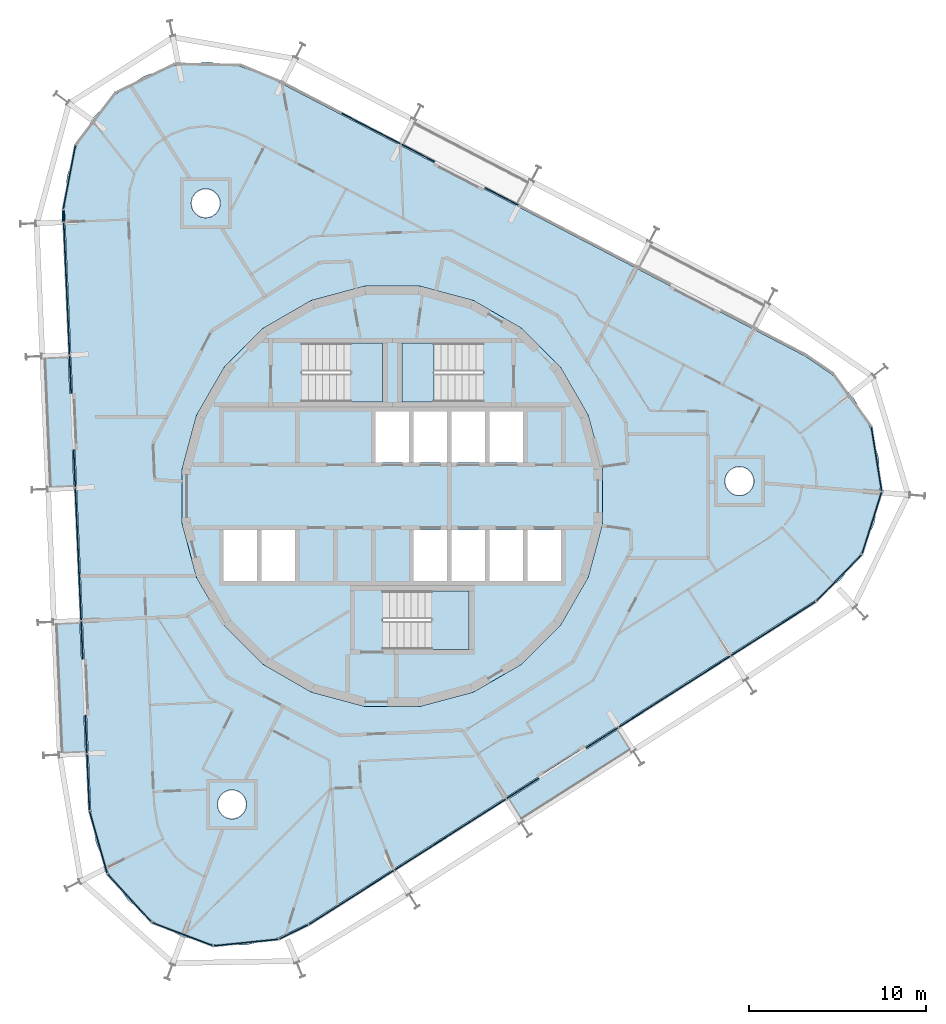
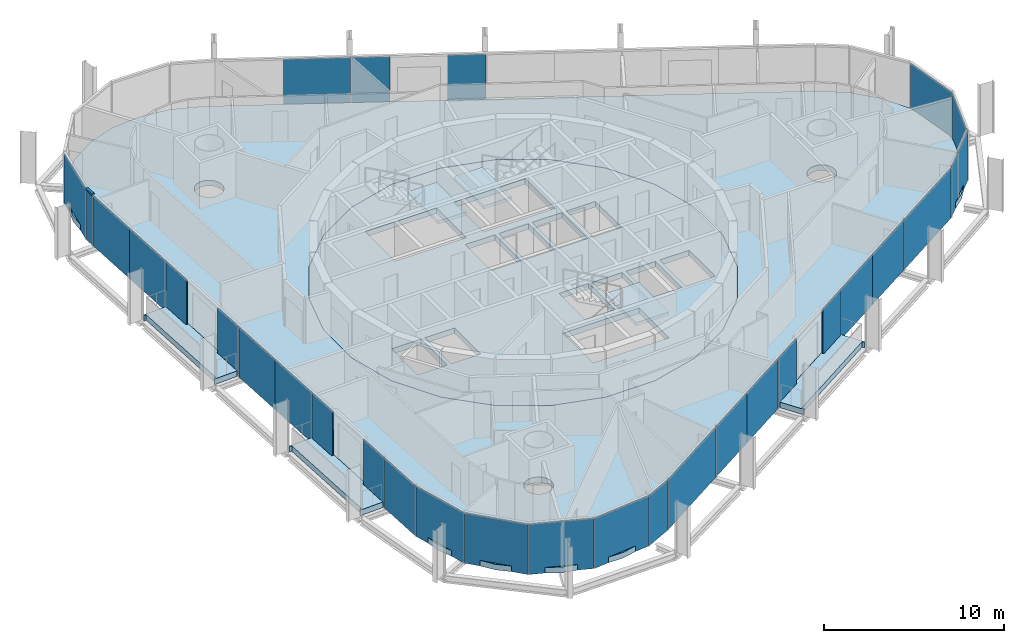
# One storey, part 10 of 17: 30 plates, 8 slabs, 1 member, 9 elements without a shape of their own.
"""IFC4 building model written with IfcOpenShell, lengths in metres."""

from ifc_helpers import new_model, si_unit, direction, frame, origin, origin_2d, place, context, subcontext, project, spatial, polyline, rectangle, outline, extrude, material, layer, layer_set, material_profile, profile_set, type_object, element, aggregate, save


model = new_model("IFC4")

# Units and contexts
model_context = context("Model", 3, precision=1e-05, world=origin(), true_north=direction((0.0, 1.0)))
body_context = subcontext(model_context, "Body", "Model", "MODEL_VIEW")
ifc_project = project(units=[si_unit("LENGTHUNIT", "METRE"), si_unit("AREAUNIT", "SQUARE_METRE"), si_unit("VOLUMEUNIT", "CUBIC_METRE"), si_unit("PLANEANGLEUNIT", "RADIAN"), si_unit("MASSUNIT", "GRAM", prefix="KILO")], contexts=[model_context])

# Site, building, storey
site_placement = place(None, origin())
site = spatial("IfcSite", under=ifc_project, at=site_placement, CompositionType="ELEMENT")
building_placement = place(site_placement, origin())
building = spatial("IfcBuilding", under=site, at=building_placement, Name="Spindle Arch Residences", CompositionType="ELEMENT")
storey_placement = place(building_placement, frame((0.0, 0.0, 244.199951171875)))
storey = spatial("IfcBuildingStorey", under=building, at=storey_placement, Name="L62", CompositionType="ELEMENT", Elevation=244.199951171875)

# Curtain wall, member
ifc_material_1 = material(Name="Aluminium bronze unitised frame with tinted glass", Category="aluminium")
ifc_layer_1 = layer(ifc_material_1, 0.159912109375)
ifc_layer_set_1 = layer_set([ifc_layer_1], Name="CW-D corner wall on the fillet arcs")
curtain_wall_type_1 = type_object("IfcCurtainWallType", Name="CW-D corner wall on the fillet arcs", PredefinedType="NOTDEFINED", material=ifc_layer_set_1)
curtain_wall_1_placement = place(storey_placement, origin())
curtain_wall_1 = element("IfcCurtainWall", 1, at=curtain_wall_1_placement, inside=storey, type_object=curtain_wall_type_1, Name="CW-D L62 run 3", PredefinedType="NOTDEFINED")
ifc_material_2 = material(Name="Aluminium bronze anodised transom", Category="aluminium")
ifc_material_profile = material_profile(ifc_material_2, rectangle(XDim=0.159912109375, YDim=0.1201171875, at=origin_2d()), Name="TR 120x160")
ifc_profile_set = profile_set([ifc_material_profile], Name="Aluminium bronze anodised transom")
member_type = type_object("IfcMemberType", Name="Bronze transom 120x160", PredefinedType="USERDEFINED", material=ifc_profile_set)
member_placement = place(storey_placement, frame((-18.638916015625, 16.2060546875, 3.06005859375), z_axis=(0.043372874815, -0.999058954081, 0.0), x_axis=(0.999058954081, 0.043372874815, 0.0)))
member = element("IfcMember", 2, at=member_placement, type_object=member_type, Name="CW-D transom 05", ObjectType="TRANSOM", PredefinedType="USERDEFINED", context=body_context, shape_type="SweptSolid", body=[
    extrude(rectangle(XDim=0.159912109375, YDim=0.1201171875, at=origin_2d()), origin(), (0.0, 0.0, 1.0), 0.65869140625),
])

# Slabs
ifc_material_3 = material(Name="Concrete C40/50", Category="concrete")
ifc_layer_2 = layer(ifc_material_3, 0.3798828125)
ifc_layer_set_2 = layer_set([ifc_layer_2], Name="Balcony slab 380")
slab_type_1 = type_object("IfcSlabType", Name="Balcony slab 380", PredefinedType="FLOOR", material=ifc_layer_set_2)
slab_1_placement = place(storey_placement, frame((0.0, 0.0, -0.3798828125)))
element("IfcSlab", 3, at=slab_1_placement, inside=storey, type_object=slab_type_1, Name="Balcony L62 bay 14", PredefinedType="FLOOR", context=body_context, shape_type="SweptSolid", body=[
    extrude(outline(polyline([(-19.845703125, 7.851806640625), (-19.842529296875, 7.777099609375), (-19.692626953125, 7.783447265625), (-19.377197265625, 0.560302734375), (-19.527099609375, 0.5537109375), (-19.52392578125, 0.478759765625), (-18.03515625, 0.5439453125), (-18.12646484375, 2.6318359375), (-17.966552734375, 2.638916015625), (-18.106201171875, 5.8359375), (-18.265869140625, 5.828857421875), (-18.357177734375, 7.9169921875), (-19.845703125, 7.851806640625)])), origin(), (0.0, 0.0, 1.0), 0.3798828125),
])
slab_2_placement = place(storey_placement, frame((0.0, 0.0, -0.3798828125)))
element("IfcSlab", 4, at=slab_2_placement, inside=storey, type_object=slab_type_1, Name="Balcony L62 bay 16", PredefinedType="FLOOR", context=body_context, shape_type="SweptSolid", body=[
    extrude(outline(polyline([(-19.188720703125, -7.19384765625), (-19.185546875, -7.268798828125), (-19.03564453125, -7.26220703125), (-18.72021484375, -14.485595703125), (-18.8701171875, -14.491943359375), (-18.866943359375, -14.56689453125), (-17.37841796875, -14.501953125), (-17.469482421875, -12.413818359375), (-17.3095703125, -12.406982421875), (-17.44921875, -9.2099609375), (-17.609130859375, -9.217041015625), (-17.7001953125, -7.12890625), (-19.188720703125, -7.19384765625)])), origin(), (0.0, 0.0, 1.0), 0.3798828125),
])
slab_3_placement = place(storey_placement, frame((0.0, 0.0, -0.3798828125)))
element("IfcSlab", 5, at=slab_3_placement, inside=storey, type_object=slab_type_1, Name="Balcony L62 bay 22", PredefinedType="FLOOR", context=body_context, shape_type="SweptSolid", body=[
    extrude(outline(polyline([(7.356689453125, -18.41552734375), (7.419921875, -18.375244140625), (7.33935546875, -18.248779296875), (13.437255859375, -14.364013671875), (13.517822265625, -14.490478515625), (13.5810546875, -14.4501953125), (12.780517578125, -13.193603515625), (11.017822265625, -14.316650390625), (10.931884765625, -14.181640625), (8.23291015625, -15.901123046875), (8.31884765625, -16.035888671875), (6.55615234375, -17.158935546875), (7.356689453125, -18.41552734375)])), origin(), (0.0, 0.0, 1.0), 0.3798828125),
])
ifc_material_4 = material(Name="Concrete C50/60", Category="concrete")
ifc_layer_3 = layer(ifc_material_4, 0.3798828125)
ifc_layer_set_3 = layer_set([ifc_layer_3], Name="Core floor slab 380")
slab_type_2 = type_object("IfcSlabType", Name="Core floor slab 380", PredefinedType="FLOOR", material=ifc_layer_set_3)
slab_4_placement = place(storey_placement, frame((0.0, 0.0, -0.3798828125)))
element("IfcSlab", 6, at=slab_4_placement, inside=storey, type_object=slab_type_2, Name="Core floor L62", PredefinedType="FLOOR", context=body_context, shape_type="SweptSolid", body=[
    extrude(outline(polyline([(1.56640625, -11.897216796875), (4.59228515625, -11.086669921875), (7.30517578125, -9.520263671875), (9.520263671875, -7.30517578125), (11.086669921875, -4.59228515625), (11.897216796875, -1.56640625), (11.897216796875, 1.56640625), (11.086669921875, 4.59228515625), (9.520263671875, 7.30517578125), (7.30517578125, 9.520263671875), (4.59228515625, 11.086669921875), (1.56640625, 11.897216796875), (-1.56640625, 11.897216796875), (-4.59228515625, 11.086669921875), (-7.30517578125, 9.520263671875), (-9.520263671875, 7.30517578125), (-11.086669921875, 4.59228515625), (-11.897216796875, 1.56640625), (-11.897216796875, -1.56640625), (-11.086669921875, -4.59228515625), (-9.520263671875, -7.30517578125), (-7.30517578125, -9.520263671875), (-4.59228515625, -11.086669921875), (-1.56640625, -11.897216796875), (1.56640625, -11.897216796875)]), holes=[polyline([(-0.949951171875, 1.89990234375), (0.949951171875, 1.89990234375), (0.949951171875, 4.800048828125), (-0.949951171875, 4.800048828125), (-0.949951171875, 1.89990234375)]), polyline([(1.199951171875, 1.89990234375), (3.10009765625, 1.89990234375), (3.10009765625, 4.800048828125), (1.199951171875, 4.800048828125), (1.199951171875, 1.89990234375)]), polyline([(3.35009765625, 1.89990234375), (5.25, 1.89990234375), (5.25, 4.800048828125), (3.35009765625, 4.800048828125), (3.35009765625, 1.89990234375)]), polyline([(5.5, 1.89990234375), (7.39990234375, 1.89990234375), (7.39990234375, 4.800048828125), (5.5, 4.800048828125), (5.5, 1.89990234375)]), polyline([(-9.550048828125, -4.800048828125), (-7.64990234375, -4.800048828125), (-7.64990234375, -1.89990234375), (-9.550048828125, -1.89990234375), (-9.550048828125, -4.800048828125)]), polyline([(-7.39990234375, -4.800048828125), (-5.5, -4.800048828125), (-5.5, -1.89990234375), (-7.39990234375, -1.89990234375), (-7.39990234375, -4.800048828125)]), polyline([(1.199951171875, -4.800048828125), (3.10009765625, -4.800048828125), (3.10009765625, -1.89990234375), (1.199951171875, -1.89990234375), (1.199951171875, -4.800048828125)]), polyline([(3.35009765625, -4.800048828125), (5.25, -4.800048828125), (5.25, -1.89990234375), (3.35009765625, -1.89990234375), (3.35009765625, -4.800048828125)]), polyline([(5.5, -4.800048828125), (7.39990234375, -4.800048828125), (7.39990234375, -1.89990234375), (5.5, -1.89990234375), (5.5, -4.800048828125)]), polyline([(7.64990234375, -4.800048828125), (9.550048828125, -4.800048828125), (9.550048828125, -1.89990234375), (7.64990234375, -1.89990234375), (7.64990234375, -4.800048828125)]), polyline([(5.1298828125, 8.669921875), (0.550048828125, 8.669921875), (0.550048828125, 5.35009765625), (5.1298828125, 5.35009765625), (5.1298828125, 8.669921875)]), polyline([(-5.1298828125, 5.35009765625), (-0.550048828125, 5.35009765625), (-0.550048828125, 8.669921875), (-5.1298828125, 8.669921875), (-5.1298828125, 5.35009765625)]), polyline([(-0.530029296875, -8.669921875), (4.35009765625, -8.669921875), (4.35009765625, -5.35009765625), (-0.530029296875, -5.35009765625), (-0.530029296875, -8.669921875)])]), origin(), (0.0, 0.0, 1.0), 0.3798828125),
])

# Stair, slab
ifc_material_5 = material(Name="Concrete C50/60", Category="concrete")
stair_type = type_object("IfcStairType", Name="Exit stair 16 risers", PredefinedType="HALF_TURN_STAIR", material=ifc_material_5)
stair_1_placement = place(storey_placement, origin())
stair_1 = element("IfcStair", 7, at=stair_1_placement, inside=storey, type_object=stair_type, Name="L62 Exit stair ST1", PredefinedType="HALF_TURN_STAIR")
ifc_material_6 = material(Name="Concrete C50/60", Category="concrete")
ifc_layer_4 = layer(ifc_material_6, 0.219970703125)
ifc_layer_set_4 = layer_set([ifc_layer_4], Name="Exit stair landing 220")
slab_type_3 = type_object("IfcSlabType", Name="Exit stair landing 220", PredefinedType="LANDING", material=ifc_layer_set_4)
slab_5_placement = place(storey_placement, frame((0.0, 0.0, 1.530029296875)))
slab_5 = element("IfcSlab", 8, at=slab_5_placement, type_object=slab_type_3, Name="ST1 landing 1", PredefinedType="LANDING", context=body_context, shape_type="SweptSolid", body=[
    extrude(outline(polyline([(2.3701171875, 8.669921875), (0.550048828125, 8.669921875), (0.550048828125, 5.35009765625), (2.3701171875, 5.35009765625), (2.3701171875, 8.669921875)])), origin(), (0.0, 0.0, 1.0), 0.219970703125),
])
aggregate(stair_1, [slab_5])

stair_2_placement = place(storey_placement, origin())
stair_2 = element("IfcStair", 9, at=stair_2_placement, inside=storey, type_object=stair_type, Name="L62 Exit stair ST2", PredefinedType="HALF_TURN_STAIR")
slab_6_placement = place(storey_placement, frame((0.0, 0.0, 1.530029296875)))
slab_6 = element("IfcSlab", 10, at=slab_6_placement, type_object=slab_type_3, Name="ST2 landing 1", PredefinedType="LANDING", context=body_context, shape_type="SweptSolid", body=[
    extrude(outline(polyline([(-2.3701171875, 5.35009765625), (-0.550048828125, 5.35009765625), (-0.550048828125, 8.669921875), (-2.3701171875, 8.669921875), (-2.3701171875, 5.35009765625)])), origin(), (0.0, 0.0, 1.0), 0.219970703125),
])
aggregate(stair_2, [slab_6])

stair_3_placement = place(storey_placement, origin())
stair_3 = element("IfcStair", 11, at=stair_3_placement, inside=storey, type_object=stair_type, Name="L62 Exit stair ST3", PredefinedType="HALF_TURN_STAIR")
slab_7_placement = place(storey_placement, frame((0.0, 0.0, 1.530029296875)))
slab_7 = element("IfcSlab", 12, at=slab_7_placement, type_object=slab_type_3, Name="ST3 landing 1", PredefinedType="LANDING", context=body_context, shape_type="SweptSolid", body=[
    extrude(outline(polyline([(2.22998046875, -8.669921875), (4.35009765625, -8.669921875), (4.35009765625, -5.35009765625), (2.22998046875, -5.35009765625), (2.22998046875, -8.669921875)])), origin(), (0.0, 0.0, 1.0), 0.219970703125),
])
aggregate(stair_3, [slab_7])

# Slab
ifc_material_7 = material(Name="Concrete C40/50", Category="concrete")
ifc_layer_5 = layer(ifc_material_7, 0.3798828125)
ifc_layer_set_5 = layer_set([ifc_layer_5], Name="Floor slab 380")
slab_type_4 = type_object("IfcSlabType", Name="Floor slab 380", PredefinedType="FLOOR", material=ifc_layer_set_5)
slab_8_placement = place(storey_placement, frame((0.0, 0.0, -0.3798828125)))
element("IfcSlab", 13, at=slab_8_placement, inside=storey, type_object=slab_type_4, Name="Floor slab L62", PredefinedType="FLOOR", context=body_context, shape_type="SweptSolid", body=[
    extrude(outline(polyline([(-6.45556640625, -25.0029296875), (-8.268798828125, -25.40478515625), (-10.126220703125, -25.3779296875), (-11.92724609375, -24.92333984375), (-13.57470703125, -24.065673828125), (-14.980224609375, -22.85107421875), (-16.067626953125, -21.34521484375), (-16.778564453125, -19.629150390625), (-17.074462890625, -17.79541015625), (-18.560302734375, 16.239501953125), (-18.42529296875, 18.092041015625), (-17.866943359375, 19.863525390625), (-16.914794921875, 21.45849609375), (-15.62060546875, 22.791015625), (-14.053955078125, 23.788818359375), (-12.299560546875, 24.398681640625), (-10.45166015625, 24.587646484375), (-8.610107421875, 24.34521484375), (-6.8740234375, 23.6845703125), (23.343994140625, 7.9541015625), (24.880859375, 6.910888671875), (26.1357421875, 5.54150390625), (27.041015625, 3.91943359375), (27.5478515625, 2.13232421875), (27.62890625, 0.276611328125), (27.27978515625, -1.547607421875), (26.519287109375, -3.242431640625), (25.388427734375, -4.716064453125), (23.948486328125, -5.88916015625), (9.58251953125, -15.041259765625), (-4.78369140625, -24.193603515625), (-6.45556640625, -25.0029296875)]), holes=[polyline([(7.30517578125, -9.520263671875), (9.520263671875, -7.30517578125), (11.086669921875, -4.59228515625), (11.897216796875, -1.56640625), (11.897216796875, 1.56640625), (11.086669921875, 4.59228515625), (9.520263671875, 7.30517578125), (7.30517578125, 9.520263671875), (4.59228515625, 11.086669921875), (1.56640625, 11.897216796875), (-1.56640625, 11.897216796875), (-4.59228515625, 11.086669921875), (-7.30517578125, 9.520263671875), (-9.520263671875, 7.30517578125), (-11.086669921875, 4.59228515625), (-11.897216796875, 1.56640625), (-11.897216796875, -1.56640625), (-11.086669921875, -4.59228515625), (-9.520263671875, -7.30517578125), (-7.30517578125, -9.520263671875), (-4.59228515625, -11.086669921875), (-1.56640625, -11.897216796875), (1.56640625, -11.897216796875), (4.59228515625, -11.086669921875), (7.30517578125, -9.520263671875)]), polyline([(-8.39599609375, -17.904541015625), (-8.31982421875, -17.761962890625), (-8.27294921875, -17.607177734375), (-8.257080078125, -17.4462890625), (-8.27294921875, -17.285400390625), (-8.31982421875, -17.130615234375), (-8.39599609375, -16.988037109375), (-8.49853515625, -16.86279296875), (-8.623779296875, -16.76025390625), (-8.766357421875, -16.68408203125), (-8.921142578125, -16.63720703125), (-9.08203125, -16.621337890625), (-9.242919921875, -16.63720703125), (-9.397705078125, -16.68408203125), (-9.540283203125, -16.76025390625), (-9.665283203125, -16.86279296875), (-9.76806640625, -16.988037109375), (-9.84423828125, -17.130615234375), (-9.89111328125, -17.285400390625), (-9.906982421875, -17.4462890625), (-9.89111328125, -17.607177734375), (-9.84423828125, -17.761962890625), (-9.76806640625, -17.904541015625), (-9.665283203125, -18.02978515625), (-9.540283203125, -18.13232421875), (-9.397705078125, -18.20849609375), (-9.242919921875, -18.25537109375), (-9.08203125, -18.271240234375), (-8.921142578125, -18.25537109375), (-8.766357421875, -18.20849609375), (-8.623779296875, -18.13232421875), (-8.49853515625, -18.02978515625), (-8.39599609375, -17.904541015625)]), polyline([(-9.882080078125, 16.130126953125), (-9.805908203125, 16.272705078125), (-9.7587890625, 16.427490234375), (-9.742919921875, 16.58837890625), (-9.7587890625, 16.749267578125), (-9.805908203125, 16.904052734375), (-9.882080078125, 17.046630859375), (-9.984619140625, 17.171875), (-10.109619140625, 17.2744140625), (-10.252197265625, 17.3505859375), (-10.406982421875, 17.3974609375), (-10.568115234375, 17.413330078125), (-10.72900390625, 17.3974609375), (-10.8837890625, 17.3505859375), (-11.0263671875, 17.2744140625), (-11.1513671875, 17.171875), (-11.25390625, 17.046630859375), (-11.330078125, 16.904052734375), (-11.377197265625, 16.749267578125), (-11.39306640625, 16.58837890625), (-11.377197265625, 16.427490234375), (-11.330078125, 16.272705078125), (-11.25390625, 16.130126953125), (-11.1513671875, 16.0048828125), (-11.0263671875, 15.90234375), (-10.8837890625, 15.826171875), (-10.72900390625, 15.779296875), (-10.568115234375, 15.763427734375), (-10.406982421875, 15.779296875), (-10.252197265625, 15.826171875), (-10.109619140625, 15.90234375), (-9.984619140625, 16.0048828125), (-9.882080078125, 16.130126953125)]), polyline([(20.2333984375, 0.2744140625), (20.3359375, 0.399658203125), (20.412109375, 0.542236328125), (20.458984375, 0.697021484375), (20.47509765625, 0.85791015625), (20.458984375, 1.018798828125), (20.412109375, 1.173583984375), (20.3359375, 1.316162109375), (20.2333984375, 1.44140625), (20.1083984375, 1.5439453125), (19.9658203125, 1.6201171875), (19.810791015625, 1.6669921875), (19.64990234375, 1.682861328125), (19.489013671875, 1.6669921875), (19.334228515625, 1.6201171875), (19.191650390625, 1.5439453125), (19.066650390625, 1.44140625), (18.964111328125, 1.316162109375), (18.8876953125, 1.173583984375), (18.8408203125, 1.018798828125), (18.824951171875, 0.85791015625), (18.8408203125, 0.697021484375), (18.8876953125, 0.542236328125), (18.964111328125, 0.399658203125), (19.066650390625, 0.2744140625), (19.191650390625, 0.171875), (19.334228515625, 0.095703125), (19.489013671875, 0.048828125), (19.64990234375, 0.032958984375), (19.810791015625, 0.048828125), (19.9658203125, 0.095703125), (20.1083984375, 0.171875), (20.2333984375, 0.2744140625)])]), origin(), (0.0, 0.0, 1.0), 0.3798828125),
])

# Curtain wall, plates
curtain_wall_2_placement = place(storey_placement, origin())
curtain_wall_2 = element("IfcCurtainWall", 14, at=curtain_wall_2_placement, inside=storey, type_object=curtain_wall_type_1, Name="CW-D L62 run 1", PredefinedType="NOTDEFINED")
ifc_material_8 = material(Name="Tinted double glazing over aluminium faced non-combustible spandrel zone (K0)", Category="aluminium")
ifc_layer_6 = layer(ifc_material_8, 0.06005859375)
ifc_layer_set_6 = layer_set([ifc_layer_6], Name="Unitised glass panel with E 60 spandrel zone")
plate_type = type_object("IfcPlateType", Name="Unitised glass panel with E 60 spandrel zone", PredefinedType="CURTAIN_PANEL", material=ifc_layer_set_6)
plate_1_placement = place(storey_placement, frame((21.571533203125, -7.498291015625, -0.3798828125), z_axis=(0.0, 0.0, 1.0), x_axis=(0.843391445813, 0.537299608347, 0.0)))
plate_1 = element("IfcPlate", 15, at=plate_1_placement, type_object=plate_type, Name="CW-D unit 00", PredefinedType="CURTAIN_PANEL", context=body_context, shape_type="SweptSolid", body=[
    extrude(rectangle(XDim=5.678466796875, YDim=0.06005859375, at=origin_2d()), origin(), (0.0, 0.0, 1.0), 3.3798828125),
])
plate_2_placement = place(storey_placement, frame((25.28955078125, -4.6201171875, -0.3798828125), z_axis=(0.0, 0.0, 1.0), x_axis=(0.696747904692, 0.71731607908, 0.0)))
plate_2 = element("IfcPlate", 16, at=plate_2_placement, type_object=plate_type, Name="CW-D unit 01", PredefinedType="CURTAIN_PANEL", context=body_context, shape_type="SweptSolid", body=[
    extrude(rectangle(XDim=3.666748046875, YDim=0.06005859375, at=origin_2d()), origin(), (0.0, 0.0, 1.0), 3.3798828125),
])
plate_3_placement = place(storey_placement, frame((27.148193359375, -1.50634765625, -0.3798828125), z_axis=(0.0, 0.0, 1.0), x_axis=(0.300705803932, 0.953716949352, 0.0)))
plate_3 = element("IfcPlate", 17, at=plate_3_placement, type_object=plate_type, Name="CW-D unit 02", PredefinedType="CURTAIN_PANEL", context=body_context, shape_type="SweptSolid", body=[
    extrude(rectangle(XDim=3.666748046875, YDim=0.06005859375, at=origin_2d()), origin(), (0.0, 0.0, 1.0), 3.3798828125),
])
plate_4_placement = place(storey_placement, frame((27.411865234375, 2.1103515625, -0.3798828125), z_axis=(0.0, 0.0, 1.0), x_axis=(-0.15930686075, 0.987229114298, 0.0)))
plate_4 = element("IfcPlate", 18, at=plate_4_placement, type_object=plate_type, Name="CW-D unit 03", PredefinedType="CURTAIN_PANEL", context=body_context, shape_type="SweptSolid", body=[
    extrude(rectangle(XDim=3.666748046875, YDim=0.06005859375, at=origin_2d()), origin(), (0.0, 0.0, 1.0), 3.3798828125),
])
aggregate(curtain_wall_2, [plate_1, plate_2, plate_3, plate_4])

ifc_material_9 = material(Name="Aluminium bronze unitised frame with tinted glass", Category="aluminium")
ifc_layer_7 = layer(ifc_material_9, 0.159912109375)
ifc_layer_set_7 = layer_set([ifc_layer_7], Name="CW-C typical residential unitised wall")
curtain_wall_type_2 = type_object("IfcCurtainWallType", Name="CW-C typical residential unitised wall", PredefinedType="NOTDEFINED", material=ifc_layer_set_7)
curtain_wall_3_placement = place(storey_placement, origin())
curtain_wall_3 = element("IfcCurtainWall", 19, at=curtain_wall_3_placement, inside=storey, type_object=curtain_wall_type_2, Name="CW-C L62 run 2", PredefinedType="NOTDEFINED")
plate_5_placement = place(storey_placement, frame((6.185302734375, 16.9765625, -0.3798828125), z_axis=(0.0, 0.0, 1.0), x_axis=(-0.887010833178, 0.461748613235, 0.0)))
plate_5 = element("IfcPlate", 20, at=plate_5_placement, type_object=plate_type, Name="CW-C unit 07L", PredefinedType="CURTAIN_PANEL", context=body_context, shape_type="SweptSolid", body=[
    extrude(rectangle(XDim=2.135009765625, YDim=0.06005859375, at=origin_2d()), origin(), (0.0, 0.0, 1.0), 3.3798828125),
])
plate_6_placement = place(storey_placement, frame((1.452880859375, 19.43994140625, -0.3798828125), z_axis=(0.0, 0.0, 1.0), x_axis=(-0.887010833178, 0.461748613235, 0.0)))
plate_6 = element("IfcPlate", 21, at=plate_6_placement, type_object=plate_type, Name="CW-C unit 07R", PredefinedType="CURTAIN_PANEL", context=body_context, shape_type="SweptSolid", body=[
    extrude(rectangle(XDim=2.135009765625, YDim=0.06005859375, at=origin_2d()), origin(), (0.0, 0.0, 1.0), 3.3798828125),
])
plate_7_placement = place(storey_placement, frame((-1.20361328125, 20.822998046875, -0.3798828125), z_axis=(0.0, 0.0, 1.0), x_axis=(-0.887010833178, 0.461748613235, 0.0)))
plate_7 = element("IfcPlate", 22, at=plate_7_placement, type_object=plate_type, Name="CW-C unit 08A", PredefinedType="CURTAIN_PANEL", context=body_context, shape_type="SweptSolid", body=[
    extrude(rectangle(XDim=3.735107421875, YDim=0.06005859375, at=origin_2d()), origin(), (0.0, 0.0, 1.0), 3.3798828125),
])
aggregate(curtain_wall_3, [plate_5, plate_6, plate_7])

# Plate
plate_8_placement = place(storey_placement, frame((-18.2900390625, 18.066162109375, -0.3798828125), z_axis=(0.0, 0.0, 1.0), x_axis=(-0.187952756314, -0.982178070104, 0.0)))
plate_8 = element("IfcPlate", 23, at=plate_8_placement, type_object=plate_type, Name="CW-D unit 04", PredefinedType="CURTAIN_PANEL", context=body_context, shape_type="SweptSolid", body=[
    extrude(rectangle(XDim=3.666748046875, YDim=0.06005859375, at=origin_2d()), origin(), (0.0, 0.0, 1.0), 3.3798828125),
])

plate_9_placement = place(storey_placement, frame((-18.62451171875, 15.877197265625, -0.3798828125), z_axis=(0.0, 0.0, 1.0), x_axis=(0.043619387365, -0.999048221582, 0.0)))
plate_9 = element("IfcPlate", 24, at=plate_9_placement, type_object=plate_type, Name="CW-D unit 05", PredefinedType="CURTAIN_PANEL", context=body_context, shape_type="SweptSolid", body=[
    extrude(rectangle(XDim=0.658447265625, YDim=0.06005859375, at=origin_2d()), origin(), (0.0, 0.0, 1.0), 3.3798828125),
])

aggregate(curtain_wall_1, [plate_8, member, plate_9])

# Curtain wall, plates
curtain_wall_4_placement = place(storey_placement, origin())
curtain_wall_4 = element("IfcCurtainWall", 25, at=curtain_wall_4_placement, inside=storey, type_object=curtain_wall_type_2, Name="CW-C L62 run 4", PredefinedType="NOTDEFINED")
plate_10_placement = place(storey_placement, frame((-18.526123046875, 13.62255859375, -0.3798828125), z_axis=(0.0, 0.0, 1.0), x_axis=(0.043619387365, -0.999048221582, 0.0)))
plate_10 = element("IfcPlate", 26, at=plate_10_placement, type_object=plate_type, Name="CW-C unit 12A", PredefinedType="CURTAIN_PANEL", context=body_context, shape_type="SweptSolid", body=[
    extrude(rectangle(XDim=3.735107421875, YDim=0.06005859375, at=origin_2d()), origin(), (0.0, 0.0, 1.0), 3.3798828125),
])
plate_11_placement = place(storey_placement, frame((-18.36328125, 9.89111328125, -0.3798828125), z_axis=(0.0, 0.0, 1.0), x_axis=(0.043619387365, -0.999048221582, 0.0)))
plate_11 = element("IfcPlate", 27, at=plate_11_placement, type_object=plate_type, Name="CW-C unit 12B", PredefinedType="CURTAIN_PANEL", context=body_context, shape_type="SweptSolid", body=[
    extrude(rectangle(XDim=3.735107421875, YDim=0.06005859375, at=origin_2d()), origin(), (0.0, 0.0, 1.0), 3.3798828125),
])
plate_12_placement = place(storey_placement, frame((-18.232666015625, 6.89892578125, -0.3798828125), z_axis=(0.0, 0.0, 1.0), x_axis=(0.043619387365, -0.999048221582, 0.0)))
plate_12 = element("IfcPlate", 28, at=plate_12_placement, type_object=plate_type, Name="CW-C unit 13L", PredefinedType="CURTAIN_PANEL", context=body_context, shape_type="SweptSolid", body=[
    extrude(rectangle(XDim=2.135009765625, YDim=0.06005859375, at=origin_2d()), origin(), (0.0, 0.0, 1.0), 3.3798828125),
])
plate_13_placement = place(storey_placement, frame((-18.0, 1.56884765625, -0.3798828125), z_axis=(0.0, 0.0, 1.0), x_axis=(0.043619387365, -0.999048221582, 0.0)))
plate_13 = element("IfcPlate", 29, at=plate_13_placement, type_object=plate_type, Name="CW-C unit 13R", PredefinedType="CURTAIN_PANEL", context=body_context, shape_type="SweptSolid", body=[
    extrude(rectangle(XDim=2.135009765625, YDim=0.06005859375, at=origin_2d()), origin(), (0.0, 0.0, 1.0), 3.3798828125),
])
plate_14_placement = place(storey_placement, frame((-17.869384765625, -1.42333984375, -0.3798828125), z_axis=(0.0, 0.0, 1.0), x_axis=(0.043619387365, -0.999048221582, 0.0)))
plate_14 = element("IfcPlate", 30, at=plate_14_placement, type_object=plate_type, Name="CW-C unit 14A", PredefinedType="CURTAIN_PANEL", context=body_context, shape_type="SweptSolid", body=[
    extrude(rectangle(XDim=3.735107421875, YDim=0.06005859375, at=origin_2d()), origin(), (0.0, 0.0, 1.0), 3.3798828125),
])
plate_15_placement = place(storey_placement, frame((-17.706298828125, -5.15478515625, -0.3798828125), z_axis=(0.0, 0.0, 1.0), x_axis=(0.043619387365, -0.999048221582, 0.0)))
plate_15 = element("IfcPlate", 31, at=plate_15_placement, type_object=plate_type, Name="CW-C unit 14B", PredefinedType="CURTAIN_PANEL", context=body_context, shape_type="SweptSolid", body=[
    extrude(rectangle(XDim=3.735107421875, YDim=0.06005859375, at=origin_2d()), origin(), (0.0, 0.0, 1.0), 3.3798828125),
])
plate_16_placement = place(storey_placement, frame((-17.57568359375, -8.14697265625, -0.3798828125), z_axis=(0.0, 0.0, 1.0), x_axis=(0.043619387365, -0.999048221582, 0.0)))
plate_16 = element("IfcPlate", 32, at=plate_16_placement, type_object=plate_type, Name="CW-C unit 15L", PredefinedType="CURTAIN_PANEL", context=body_context, shape_type="SweptSolid", body=[
    extrude(rectangle(XDim=2.135009765625, YDim=0.06005859375, at=origin_2d()), origin(), (0.0, 0.0, 1.0), 3.3798828125),
])
plate_17_placement = place(storey_placement, frame((-17.343017578125, -13.47705078125, -0.3798828125), z_axis=(0.0, 0.0, 1.0), x_axis=(0.043619387365, -0.999048221582, 0.0)))
plate_17 = element("IfcPlate", 33, at=plate_17_placement, type_object=plate_type, Name="CW-C unit 15R", PredefinedType="CURTAIN_PANEL", context=body_context, shape_type="SweptSolid", body=[
    extrude(rectangle(XDim=2.135009765625, YDim=0.06005859375, at=origin_2d()), origin(), (0.0, 0.0, 1.0), 3.3798828125),
])
aggregate(curtain_wall_4, [plate_10, plate_11, plate_12, plate_13, plate_14, plate_15, plate_16, plate_17])

curtain_wall_5_placement = place(storey_placement, origin())
curtain_wall_5 = element("IfcCurtainWall", 34, at=curtain_wall_5_placement, inside=storey, type_object=curtain_wall_type_1, Name="CW-D L62 run 5", PredefinedType="NOTDEFINED")
plate_18_placement = place(storey_placement, frame((-17.224609375, -16.18603515625, -0.3798828125), z_axis=(0.0, 0.0, 1.0), x_axis=(0.043619387365, -0.999048221582, 0.0)))
plate_18 = element("IfcPlate", 35, at=plate_18_placement, type_object=plate_type, Name="CW-D unit 00", PredefinedType="CURTAIN_PANEL", context=body_context, shape_type="SweptSolid", body=[
    extrude(rectangle(XDim=3.16845703125, YDim=0.06005859375, at=origin_2d()), origin(), (0.0, 0.0, 1.0), 3.3798828125),
])
plate_19_placement = place(storey_placement, frame((-16.64599609375, -19.591552734375, -0.3798828125), z_axis=(0.0, 0.0, 1.0), x_axis=(0.272839997585, -0.962059424213, 0.0)))
plate_19 = element("IfcPlate", 36, at=plate_19_placement, type_object=plate_type, Name="CW-D unit 01", PredefinedType="CURTAIN_PANEL", context=body_context, shape_type="SweptSolid", body=[
    extrude(rectangle(XDim=3.666748046875, YDim=0.06005859375, at=origin_2d()), origin(), (0.0, 0.0, 1.0), 3.3798828125),
])
plate_20_placement = place(storey_placement, frame((-14.878662109375, -22.758056640625, -0.3798828125), z_axis=(0.0, 0.0, 1.0), x_axis=(0.675590207538, -0.737277336881, 0.0)))
plate_20 = element("IfcPlate", 37, at=plate_20_placement, type_object=plate_type, Name="CW-D unit 02", PredefinedType="CURTAIN_PANEL", context=body_context, shape_type="SweptSolid", body=[
    extrude(rectangle(XDim=3.666748046875, YDim=0.06005859375, at=origin_2d()), origin(), (0.0, 0.0, 1.0), 3.3798828125),
])
plate_21_placement = place(storey_placement, frame((-11.878173828125, -24.79443359375, -0.3798828125), z_axis=(0.0, 0.0, 1.0), x_axis=(0.934618925661, -0.355650760994, 0.0)))
plate_21 = element("IfcPlate", 38, at=plate_21_placement, type_object=plate_type, Name="CW-D unit 03", PredefinedType="CURTAIN_PANEL", context=body_context, shape_type="SweptSolid", body=[
    extrude(rectangle(XDim=3.666748046875, YDim=0.06005859375, at=origin_2d()), origin(), (0.0, 0.0, 1.0), 3.3798828125),
])
plate_22_placement = place(storey_placement, frame((-8.282958984375, -25.267822265625, -0.3798828125), z_axis=(0.0, 0.0, 1.0), x_axis=(0.994821748016, 0.10163508092, 0.0)))
plate_22 = element("IfcPlate", 39, at=plate_22_placement, type_object=plate_type, Name="CW-D unit 04", PredefinedType="CURTAIN_PANEL", context=body_context, shape_type="SweptSolid", body=[
    extrude(rectangle(XDim=3.666748046875, YDim=0.06005859375, at=origin_2d()), origin(), (0.0, 0.0, 1.0), 3.3798828125),
])
plate_23_placement = place(storey_placement, frame((-5.5849609375, -24.669677734375, -0.3798828125), z_axis=(0.0, 0.0, 1.0), x_axis=(0.900065409973, 0.435754813823, 0.0)))
plate_23 = element("IfcPlate", 40, at=plate_23_placement, type_object=plate_type, Name="CW-D unit 05", PredefinedType="CURTAIN_PANEL", context=body_context, shape_type="SweptSolid", body=[
    extrude(rectangle(XDim=1.816162109375, YDim=0.06005859375, at=origin_2d()), origin(), (0.0, 0.0, 1.0), 3.3798828125),
])
plate_24_placement = place(storey_placement, frame((-2.32080078125, -22.71923828125, -0.3798828125), z_axis=(0.0, 0.0, 1.0), x_axis=(0.843391445813, 0.537299608347, 0.0)))
plate_24 = element("IfcPlate", 41, at=plate_24_placement, type_object=plate_type, Name="CW-D unit 06", PredefinedType="CURTAIN_PANEL", context=body_context, shape_type="SweptSolid", body=[
    extrude(rectangle(XDim=5.678466796875, YDim=0.06005859375, at=origin_2d()), origin(), (0.0, 0.0, 1.0), 3.3798828125),
])
aggregate(curtain_wall_5, [plate_18, plate_19, plate_20, plate_21, plate_22, plate_23, plate_24])

curtain_wall_6_placement = place(storey_placement, origin())
curtain_wall_6 = element("IfcCurtainWall", 42, at=curtain_wall_6_placement, inside=storey, type_object=curtain_wall_type_2, Name="CW-C L62 run 6", PredefinedType="NOTDEFINED")
plate_25_placement = place(storey_placement, frame((1.699462890625, -20.158203125, -0.3798828125), z_axis=(0.0, 0.0, 1.0), x_axis=(0.843391445813, 0.537299608347, 0.0)))
plate_25 = element("IfcPlate", 43, at=plate_25_placement, type_object=plate_type, Name="CW-C unit 20A", PredefinedType="CURTAIN_PANEL", context=body_context, shape_type="SweptSolid", body=[
    extrude(rectangle(XDim=3.735107421875, YDim=0.06005859375, at=origin_2d()), origin(), (0.0, 0.0, 1.0), 3.3798828125),
])
plate_26_placement = place(storey_placement, frame((4.849609375, -18.1513671875, -0.3798828125), z_axis=(0.0, 0.0, 1.0), x_axis=(0.843391445813, 0.537299608347, 0.0)))
plate_26 = element("IfcPlate", 44, at=plate_26_placement, type_object=plate_type, Name="CW-C unit 20B", PredefinedType="CURTAIN_PANEL", context=body_context, shape_type="SweptSolid", body=[
    extrude(rectangle(XDim=3.735107421875, YDim=0.06005859375, at=origin_2d()), origin(), (0.0, 0.0, 1.0), 3.3798828125),
])
plate_27_placement = place(storey_placement, frame((7.37548828125, -16.5419921875, -0.3798828125), z_axis=(0.0, 0.0, 1.0), x_axis=(0.843391445813, 0.537299608347, 0.0)))
plate_27 = element("IfcPlate", 45, at=plate_27_placement, type_object=plate_type, Name="CW-C unit 21L", PredefinedType="CURTAIN_PANEL", context=body_context, shape_type="SweptSolid", body=[
    extrude(rectangle(XDim=2.135009765625, YDim=0.06005859375, at=origin_2d()), origin(), (0.0, 0.0, 1.0), 3.3798828125),
])
plate_28_placement = place(storey_placement, frame((11.875244140625, -13.675537109375, -0.3798828125), z_axis=(0.0, 0.0, 1.0), x_axis=(0.843391445813, 0.537299608347, 0.0)))
plate_28 = element("IfcPlate", 46, at=plate_28_placement, type_object=plate_type, Name="CW-C unit 21R", PredefinedType="CURTAIN_PANEL", context=body_context, shape_type="SweptSolid", body=[
    extrude(rectangle(XDim=2.135009765625, YDim=0.06005859375, at=origin_2d()), origin(), (0.0, 0.0, 1.0), 3.3798828125),
])
plate_29_placement = place(storey_placement, frame((14.401123046875, -12.06640625, -0.3798828125), z_axis=(0.0, 0.0, 1.0), x_axis=(0.843391445813, 0.537299608347, 0.0)))
plate_29 = element("IfcPlate", 47, at=plate_29_placement, type_object=plate_type, Name="CW-C unit 00A", PredefinedType="CURTAIN_PANEL", context=body_context, shape_type="SweptSolid", body=[
    extrude(rectangle(XDim=3.735107421875, YDim=0.06005859375, at=origin_2d()), origin(), (0.0, 0.0, 1.0), 3.3798828125),
])
plate_30_placement = place(storey_placement, frame((17.55126953125, -10.0595703125, -0.3798828125), z_axis=(0.0, 0.0, 1.0), x_axis=(0.843391445813, 0.537299608347, 0.0)))
plate_30 = element("IfcPlate", 48, at=plate_30_placement, type_object=plate_type, Name="CW-C unit 00B", PredefinedType="CURTAIN_PANEL", context=body_context, shape_type="SweptSolid", body=[
    extrude(rectangle(XDim=3.735107421875, YDim=0.06005859375, at=origin_2d()), origin(), (0.0, 0.0, 1.0), 3.3798828125),
])
aggregate(curtain_wall_6, [plate_25, plate_26, plate_27, plate_28, plate_29, plate_30])

save(model, "model.ifc")
